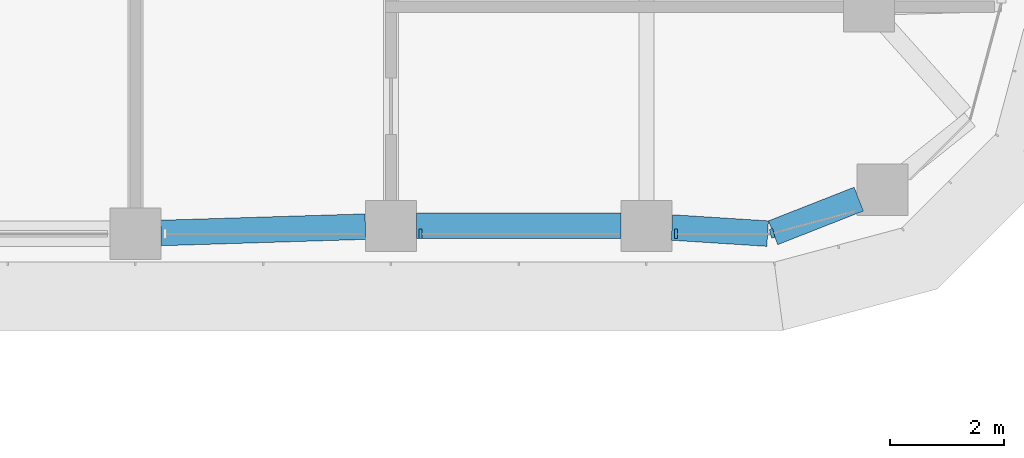
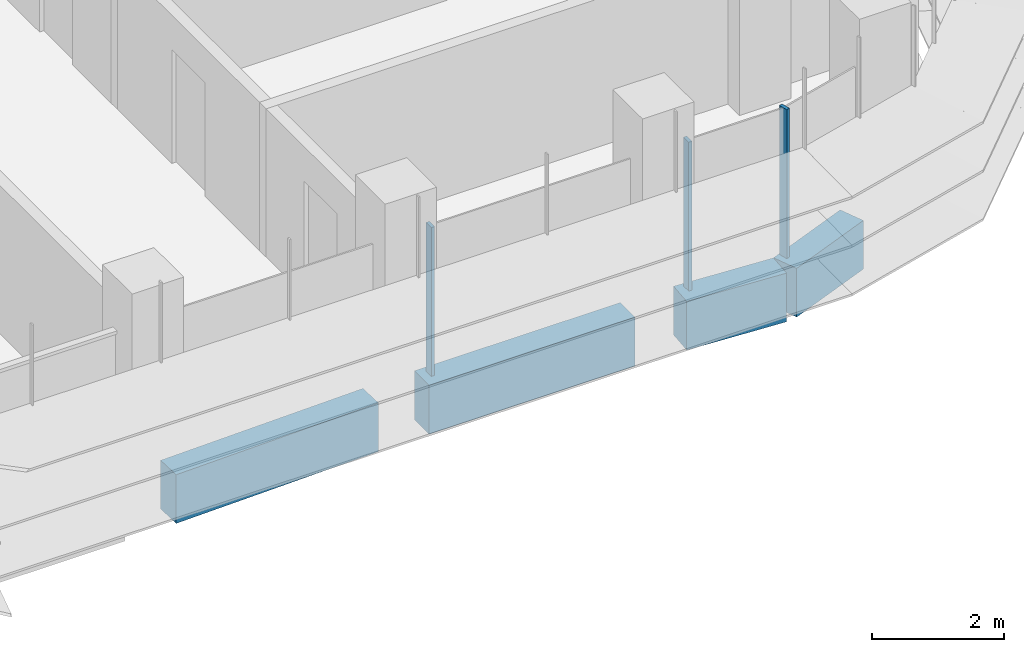
# One storey, part 5 of 21: 4 beams, 3 members, 2 elements without a shape of their own.
"""IFC4 building model written with IfcOpenShell, lengths in metres."""

from ifc_helpers import new_model, si_unit, direction, frame, origin, origin_2d, place, context, subcontext, project, spatial, polyline, rectangle, outline, extrude, source, transform, mapped, material, material_profile, profile_set, type_object, element, aggregate, save


model = new_model("IFC4")

# Units and contexts
model_context = context("Model", 3, precision=1e-05, world=origin(), true_north=direction((0.0, 1.0)))
body_context = subcontext(model_context, "Body", "Model", "MODEL_VIEW")
ifc_project = project(units=[si_unit("LENGTHUNIT", "METRE"), si_unit("AREAUNIT", "SQUARE_METRE"), si_unit("VOLUMEUNIT", "CUBIC_METRE"), si_unit("PLANEANGLEUNIT", "RADIAN"), si_unit("MASSUNIT", "GRAM", prefix="KILO")], contexts=[model_context])

# Site, building, storey
site_placement = place(None, origin())
site = spatial("IfcSite", under=ifc_project, at=site_placement, CompositionType="ELEMENT")
building_placement = place(site_placement, origin())
building = spatial("IfcBuilding", under=site, at=building_placement, Name="Zarbagh Exchange Tower", CompositionType="ELEMENT")
storey_placement = place(building_placement, frame((0.0, 0.0, 128.39990234375)))
storey = spatial("IfcBuildingStorey", under=building, at=storey_placement, Name="L30", CompositionType="ELEMENT", Elevation=128.39990234375)

# Beams
ifc_material_1 = material(Name="Concrete C60/75", Category="concrete")
ifc_material_profile = material_profile(ifc_material_1, rectangle(XDim=0.449951171875, YDim=0.89990234375, at=origin_2d()), Name="RC spandrel beam 450 x 900 C60/75")
ifc_profile_set = profile_set([ifc_material_profile], Name="Concrete C60/75")
beam_type = type_object("IfcBeamType", Name="RC spandrel beam 450 x 900 C60/75", PredefinedType="SPANDREL", material=ifc_profile_set)
beam_1_placement = place(storey_placement, frame((28.489013671875, -5.639404296875, -0.599853515625), z_axis=(-0.930806421439, -0.365512524832, 0.0), x_axis=(0.365512524832, -0.930806421439, 0.0)))
element("IfcBeam", 1, at=beam_1_placement, inside=storey, type_object=beam_type, Name="RC spandrel beam", PredefinedType="SPANDREL", context=body_context, shape_type="SweptSolid", body=[
    extrude(rectangle(XDim=0.449951171875, YDim=0.89990234375, at=origin_2d()), origin(), (0.0, 0.0, 1.0), 1.620361328125),
])
beam_2_placement = place(storey_placement, frame((26.88427734375, -6.246826171875, -0.599853515625), z_axis=(-0.997955762545, 0.063908497109, 0.0), x_axis=(-0.063908497109, -0.997955762545, 0.0)))
element("IfcBeam", 2, at=beam_2_placement, inside=storey, type_object=beam_type, Name="RC spandrel beam", PredefinedType="SPANDREL", context=body_context, shape_type="SweptSolid", body=[
    extrude(rectangle(XDim=0.449951171875, YDim=0.89990234375, at=origin_2d()), origin(), (0.0, 0.0, 1.0), 1.6884765625),
])
beam_3_placement = place(storey_placement, frame((24.300048828125, -6.110107421875, -0.599853515625), z_axis=(-1.0, 0.0, 0.0), x_axis=(0.0, -1.0, 0.0)))
element("IfcBeam", 3, at=beam_3_placement, inside=storey, type_object=beam_type, Name="RC spandrel beam", PredefinedType="SPANDREL", context=body_context, shape_type="SweptSolid", body=[
    extrude(rectangle(XDim=0.449951171875, YDim=0.89990234375, at=origin_2d()), origin(), (0.0, 0.0, 1.0), 3.60009765625),
])
beam_4_placement = place(storey_placement, frame((19.80029296875, -6.1240234375, -0.599853515625), z_axis=(-0.999516035224, -0.031107801747, 0.0), x_axis=(0.031107801747, -0.999516035224, 0.0)))
element("IfcBeam", 4, at=beam_4_placement, inside=storey, type_object=beam_type, Name="RC spandrel beam", PredefinedType="SPANDREL", context=body_context, shape_type="SweptSolid", body=[
    extrude(rectangle(XDim=0.449951171875, YDim=0.89990234375, at=origin_2d()), origin(), (0.0, 0.0, 1.0), 3.602294921875),
])

# Curtain wall, members
ifc_material_2 = material(Name="Anodised aluminium frame and glazing", Category="aluminium")
curtain_wall_type = type_object("IfcCurtainWallType", Name="CWA Ribbon glazing, lower zones", PredefinedType="NOTDEFINED", material=ifc_material_2)
curtain_wall_1_placement = place(storey_placement, origin())
curtain_wall_1 = element("IfcCurtainWall", 5, at=curtain_wall_1_placement, inside=storey, type_object=curtain_wall_type, Name="CWA58 curtain wall", PredefinedType="NOTDEFINED")
ifc_material_3 = material(Name="Anodised aluminium frame", Category="aluminium")
member_type = type_object("IfcMemberType", Name="MUA Mullion, anodised aluminium frame", PredefinedType="MULLION", material=ifc_material_3)
shared_shape = source(origin(), body_context, "Body", "SweptSolid", [
    extrude(outline(polyline([(0.0, -0.080078125), (0.06005859375, -0.080078125), (0.06005859375, 0.080078125), (0.0, 0.080078125), (0.0, -0.080078125)])), origin(), (0.0, 0.0, 1.0), 2.75),
])
placement = place(storey_placement, origin())
member_1 = element("IfcMember", 6, at=placement, type_object=member_type, Name="CWA58 mullion 3.1", PredefinedType="MULLION", context=body_context, shape_type="MappedRepresentation", body=[
    mapped(shared_shape, transform((20.739990234375, -6.25, 0.0), x_axis=(1.0, 0.0, 0.0), y_axis=(0.0, 1.0, 0.0), z_axis=(0.0, 0.0, 1.0))),
])
member_2 = element("IfcMember", 7, at=placement, type_object=member_type, Name="CWA58 mullion 4.1", PredefinedType="MULLION", context=body_context, shape_type="MappedRepresentation", body=[
    mapped(shared_shape, transform((25.239990234375, -6.25, 0.0), x_axis=(1.0, 0.0, 0.0), y_axis=(0.0, 1.0, 0.0), z_axis=(0.0, 0.0, 1.0))),
])
aggregate(curtain_wall_1, [member_1, member_2])

# Curtain wall, member
curtain_wall_2_placement = place(storey_placement, origin())
curtain_wall_2 = element("IfcCurtainWall", 8, at=curtain_wall_2_placement, inside=storey, type_object=curtain_wall_type, Name="CWA59 curtain wall", PredefinedType="NOTDEFINED")
member_3 = element("IfcMember", 9, at=placement, type_object=member_type, Name="CWA59 mullion 1.1", PredefinedType="MULLION", context=body_context, shape_type="MappedRepresentation", body=[
    mapped(shared_shape, transform((26.93408203125, -6.25, 0.0), x_axis=(0.965924289636, 0.258824779902, 0.0), y_axis=(-0.258824779902, 0.965924289636, 0.0), z_axis=(0.0, 0.0, 1.0))),
])
aggregate(curtain_wall_2, [member_3])

save(model, "model.ifc")
